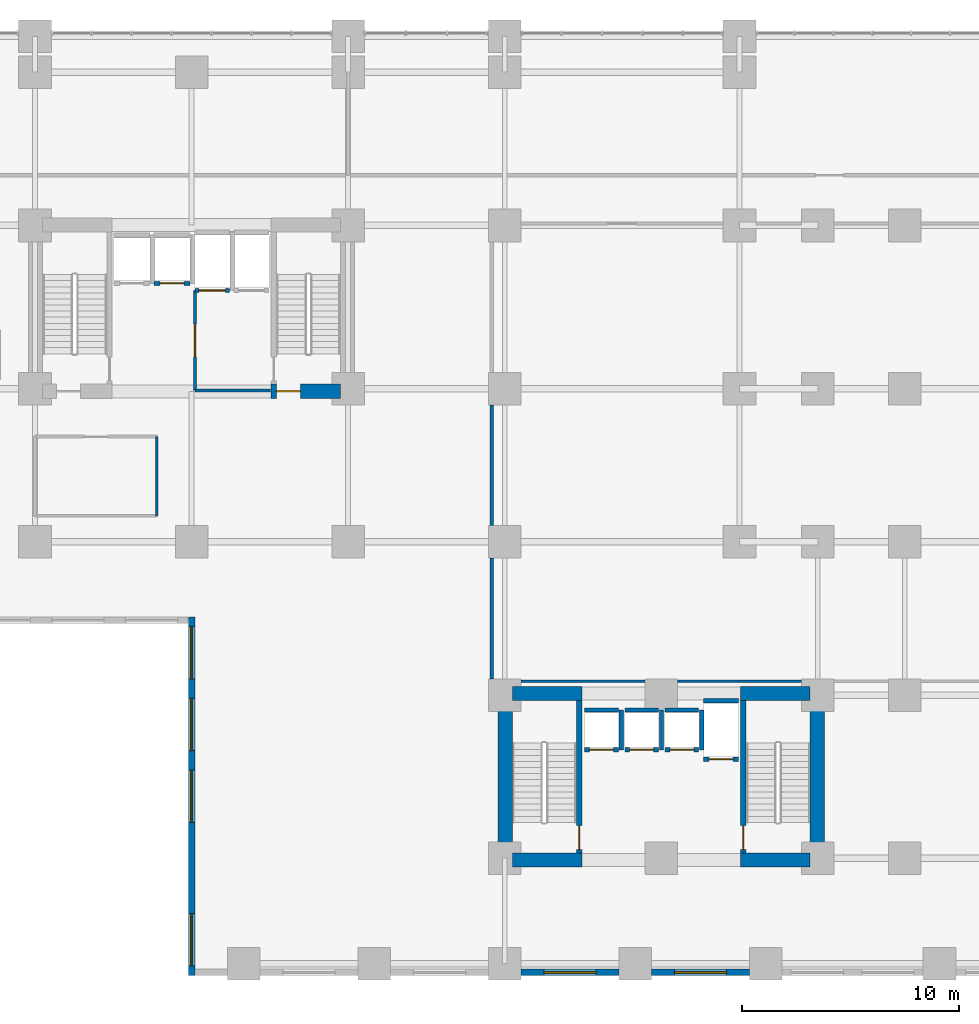
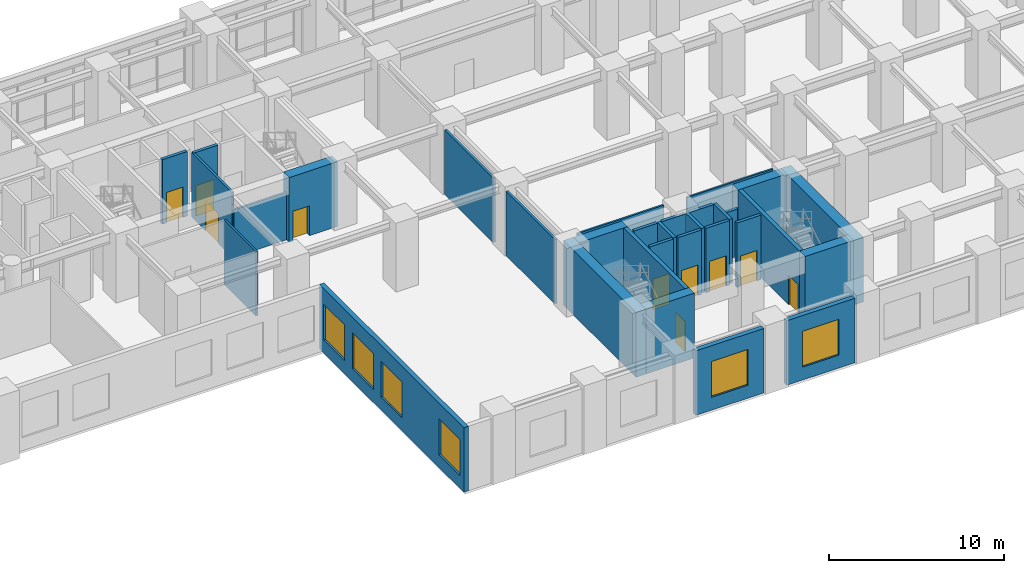
# One storey, part 16 of 22: 32 walls, 10 doors, 6 windows, 16 openings.
"""IFC4 building model written with IfcOpenShell, lengths in metres."""

from ifc_helpers import new_model, si_unit, direction, frame, frame_2d, origin, place, context, subcontext, project, spatial, rectangle, extrude, material, layer, layer_set, type_object, element, fill, save


model = new_model("IFC4")

# Units and contexts
model_context = context("Model", 3, precision=1e-05, world=origin(), true_north=direction((0.0, 1.0)))
body_context = subcontext(model_context, "Body", "Model", "MODEL_VIEW")
ifc_project = project(units=[si_unit("LENGTHUNIT", "METRE"), si_unit("AREAUNIT", "SQUARE_METRE"), si_unit("VOLUMEUNIT", "CUBIC_METRE"), si_unit("PLANEANGLEUNIT", "RADIAN"), si_unit("MASSUNIT", "GRAM", prefix="KILO")], contexts=[model_context])

# Site, building, storey
site_placement = place(None, origin())
site = spatial("IfcSite", under=ifc_project, at=site_placement, CompositionType="ELEMENT")
building_placement = place(site_placement, origin())
building = spatial("IfcBuilding", under=site, at=building_placement, Name="Kaliganga Portal Commons", CompositionType="ELEMENT")
storey_placement = place(building_placement, frame((0.0, 0.0, 10.199951171875)))
storey = spatial("IfcBuildingStorey", under=building, at=storey_placement, Name="L02", CompositionType="ELEMENT", Elevation=10.199951171875)

# Wall, opening, door
ifc_material_1 = material(Name="Concrete C70/85", Category="concrete")
ifc_layer_1 = layer(ifc_material_1, 0.64990234375)
ifc_layer_set_1 = layer_set([ifc_layer_1], Name="Concrete C70/85")
wall_type_1 = type_object("IfcWallType", Name="WL-CORE-650", PredefinedType="SHEAR", material=ifc_layer_set_1)
wall_1_placement = place(storey_placement, frame((25.25, 28.52490234375, 0.0), z_axis=(0.0, 0.0, 1.0), x_axis=(1.0, 0.0, 0.0)))
wall_1 = element("IfcWall", 1, at=wall_1_placement, inside=storey, type_object=wall_type_1, Name="Core A S-East Shear Wall L02", PredefinedType="SHEAR", context=body_context, shape_type="SweptSolid", body=[
    extrude(rectangle(XDim=3.199951171875, YDim=0.64990234375, at=frame_2d((1.60009765625, 0.0))), origin(), (0.0, 0.0, 1.0), 4.52001953125),
])
opening_1_placement = place(wall_1_placement, frame((0.25, 0.0, 0.0)))
opening_1 = element("IfcOpeningElement", 2, at=opening_1_placement, cuts=wall_1, Name="Opening SD-01", PredefinedType="OPENING", context=body_context, shape_type="SweptSolid", body=[
    extrude(rectangle(XDim=1.10009765625, YDim=2.080078125, at=frame_2d((0.550048828125, 1.0400390625))), frame((0.0, 0.3349609375, 0.0), z_axis=(0.0, -1.0, 0.0), x_axis=(1.0, 0.0, 0.0)), (0.0, 0.0, 1.0), 0.669921875),
])
ifc_material_2 = material(Name="Galvanized Steel Fire Door Leaf and Frame", Category="steel")
door_type_1 = type_object("IfcDoorType", Name="DR-STAIR-1100", OperationType="NOTDEFINED", PredefinedType="DOOR", material=ifc_material_2)
door_1_placement = place(opening_1_placement, origin())
door_1 = element("IfcDoor", 3, at=door_1_placement, inside=storey, type_object=door_type_1, Name="Protected Stair ST-A2 Concourse Fire Door L02", OperationType="SINGLE_SWING_RIGHT", OverallHeight=2.080078125, OverallWidth=1.10009765625, PredefinedType="DOOR", context=body_context, shape_type="SweptSolid", body=[
    extrude(rectangle(XDim=1.10009765625, YDim=2.080078125, at=frame_2d((0.550048828125, 1.0400390625))), frame((0.0, 0.02490234375, 0.0), z_axis=(0.0, -1.0, 0.0), x_axis=(1.0, 0.0, 0.0)), (0.0, 0.0, 1.0), 0.050048828125),
])
fill(opening_1, door_1)

# Walls
for number, where, z_axis, x_axis, name in (
    (4, (36.02490234375, 6.64990234375, 0.0), (0.0, 0.0, 1.0), (0.0, 1.0, 0.0), "Core B West Shear Wall L02"),
    (5, (50.375, 6.64990234375, 0.0), (0.0, 0.0, 1.0), (0.0, 1.0, 0.0), "Core B East Shear Wall L02"),
):
    element("IfcWall", number, at=place(storey_placement, frame(where, z_axis=z_axis, x_axis=x_axis)), inside=storey, type_object=wall_type_1, Name=name, PredefinedType="SHEAR", context=body_context, shape_type="SweptSolid", body=[
        extrude(rectangle(XDim=8.300048828125, YDim=0.64990234375, at=frame_2d((4.14990234375, 0.0))), origin(), (0.0, 0.0, 1.0), 4.52001953125),
    ])
for number, where, z_axis, x_axis, name in (
    (6, (36.35009765625, 6.97509765625, 0.0), (0.0, 0.0, 1.0), (1.0, 0.0, 0.0), "Core B S-West Shear Wall L02"),
    (7, (46.85009765625, 6.97509765625, 0.0), (0.0, 0.0, 1.0), (1.0, 0.0, 0.0), "Core B S-East Shear Wall L02"),
    (8, (36.35009765625, 14.625, 0.0), (0.0, 0.0, 1.0), (1.0, 0.0, 0.0), "Core B N-West Shear Wall L02"),
    (9, (46.85009765625, 14.625, 0.0), (0.0, 0.0, 1.0), (1.0, 0.0, 0.0), "Core B N-East Shear Wall L02"),
):
    element("IfcWall", number, at=place(storey_placement, frame(where, z_axis=z_axis, x_axis=x_axis)), inside=storey, type_object=wall_type_1, Name=name, PredefinedType="SHEAR", context=body_context, shape_type="SweptSolid", body=[
        extrude(rectangle(XDim=3.199951171875, YDim=0.64990234375, at=frame_2d((1.60009765625, 0.0))), origin(), (0.0, 0.0, 1.0), 4.52001953125),
    ])

# Wall, opening, window
ifc_material_3 = material(Name="Precast concrete C40/50", Category="concrete")
ifc_layer_2 = layer(ifc_material_3, 0.300048828125)
ifc_layer_set_2 = layer_set([ifc_layer_2], Name="Precast concrete C40/50")
wall_type_2 = type_object("IfcWallType", Name="WL-EXT-POD-300", PredefinedType="STANDARD", material=ifc_layer_set_2)
wall_2_placement = place(storey_placement, frame((41.2490234375, 1.800048828125, 0.0), z_axis=(0.0, 0.0, 1.0), x_axis=(-1.0, 0.0, 0.0)))
wall_2 = element("IfcWall", 10, at=wall_2_placement, inside=storey, type_object=wall_type_2, Name="Exterior Envelope Wall L02 P1-E00-S4", PredefinedType="STANDARD", context=body_context, shape_type="SweptSolid", body=[
    extrude(rectangle(XDim=4.498046875, YDim=0.300048828125, at=frame_2d((2.2490234375, 0.0))), origin(), (0.0, 0.0, 1.0), 4.5),
])
opening_2_placement = place(wall_2_placement, frame((1.049072265625, 0.0, 0.89990234375)))
opening_2 = element("IfcOpeningElement", 11, at=opening_2_placement, cuts=wall_2, Name="Opening W-05", PredefinedType="OPENING", context=body_context, shape_type="SweptSolid", body=[
    extrude(rectangle(XDim=2.39990234375, YDim=2.5, at=frame_2d((1.199951171875, 1.25))), frame((0.0, 0.16015625, 0.0), z_axis=(0.0, -1.0, 0.0), x_axis=(1.0, 0.0, 0.0)), (0.0, 0.0, 1.0), 0.320068359375),
])
ifc_material_4 = material(Name="Thermally Broken Aluminium and Low-E Double Glazing", Category="aluminium")
window_type = type_object("IfcWindowType", Name="WIN-POD-2400", PartitioningType="TRIPLE_PANEL_VERTICAL", PredefinedType="WINDOW", material=ifc_material_4)
window_1_placement = place(opening_2_placement, origin())
window_1 = element("IfcWindow", 12, at=window_1_placement, inside=storey, type_object=window_type, Name="Facade Window L02-P1E00S4-00", OverallHeight=2.5, OverallWidth=2.39990234375, PartitioningType="SINGLE_PANEL", PredefinedType="WINDOW", context=body_context, shape_type="SweptSolid", body=[
    extrude(rectangle(XDim=2.39990234375, YDim=2.5, at=frame_2d((1.199951171875, 1.25))), frame((0.0, 0.030029296875, 0.0), z_axis=(0.0, -1.0, 0.0), x_axis=(1.0, 0.0, 0.0)), (0.0, 0.0, 1.0), 0.06005859375),
])
fill(opening_2, window_1)

wall_3_placement = place(storey_placement, frame((47.2490234375, 1.800048828125, 0.0), z_axis=(0.0, 0.0, 1.0), x_axis=(-1.0, 0.0, 0.0)))
wall_3 = element("IfcWall", 13, at=wall_3_placement, inside=storey, type_object=wall_type_2, Name="Exterior Envelope Wall L02 P1-E00-S5", PredefinedType="STANDARD", context=body_context, shape_type="SweptSolid", body=[
    extrude(rectangle(XDim=4.498046875, YDim=0.300048828125, at=frame_2d((2.2490234375, 0.0))), origin(), (0.0, 0.0, 1.0), 4.5),
])
opening_3_placement = place(wall_3_placement, frame((1.049072265625, 0.0, 0.89990234375)))
opening_3 = element("IfcOpeningElement", 14, at=opening_3_placement, cuts=wall_3, Name="Opening W-05", PredefinedType="OPENING", context=body_context, shape_type="SweptSolid", body=[
    extrude(rectangle(XDim=2.39990234375, YDim=2.5, at=frame_2d((1.199951171875, 1.25))), frame((0.0, 0.16015625, 0.0), z_axis=(0.0, -1.0, 0.0), x_axis=(1.0, 0.0, 0.0)), (0.0, 0.0, 1.0), 0.320068359375),
])
window_2_placement = place(opening_3_placement, origin())
window_2 = element("IfcWindow", 15, at=window_2_placement, inside=storey, type_object=window_type, Name="Facade Window L02-P1E00S5-00", OverallHeight=2.5, OverallWidth=2.39990234375, PartitioningType="SINGLE_PANEL", PredefinedType="WINDOW", context=body_context, shape_type="SweptSolid", body=[
    extrude(rectangle(XDim=2.39990234375, YDim=2.5, at=frame_2d((1.199951171875, 1.25))), frame((0.0, 0.030029296875, 0.0), z_axis=(0.0, -1.0, 0.0), x_axis=(1.0, 0.0, 0.0)), (0.0, 0.0, 1.0), 0.06005859375),
])
fill(opening_3, window_2)

# Wall, openings, windows
wall_4_placement = place(storey_placement, frame((21.60009765625, 1.64990234375, 0.0), z_axis=(0.0, 0.0, 1.0), x_axis=(0.0, 1.0, 0.0)))
wall_4 = element("IfcWall", 16, at=wall_4_placement, inside=storey, type_object=wall_type_2, Name="Exterior Envelope Wall L02 P1-E05-S1", PredefinedType="STANDARD", context=body_context, shape_type="SweptSolid", body=[
    extrude(rectangle(XDim=16.5, YDim=0.300048828125, at=frame_2d((8.25, 0.0))), origin(), (0.0, 0.0, 1.0), 4.5),
])
opening_4_placement = place(wall_4_placement, frame((0.449951171875, 0.0, 0.89990234375)))
opening_4 = element("IfcOpeningElement", 17, at=opening_4_placement, cuts=wall_4, Name="Opening W-05", PredefinedType="OPENING", context=body_context, shape_type="SweptSolid", body=[
    extrude(rectangle(XDim=2.39990234375, YDim=2.5, at=frame_2d((1.199951171875, 1.25))), frame((0.0, 0.16015625, 0.0), z_axis=(0.0, -1.0, 0.0), x_axis=(1.0, 0.0, 0.0)), (0.0, 0.0, 1.0), 0.320068359375),
])
opening_5_placement = place(wall_4_placement, frame((7.050048828125, 0.0, 0.89990234375)))
opening_5 = element("IfcOpeningElement", 18, at=opening_5_placement, cuts=wall_4, Name="Opening W-05", PredefinedType="OPENING", context=body_context, shape_type="SweptSolid", body=[
    extrude(rectangle(XDim=2.39990234375, YDim=2.5, at=frame_2d((1.199951171875, 1.25))), frame((0.0, 0.16015625, 0.0), z_axis=(0.0, -1.0, 0.0), x_axis=(1.0, 0.0, 0.0)), (0.0, 0.0, 1.0), 0.320068359375),
])
opening_6_placement = place(wall_4_placement, frame((10.35009765625, 0.0, 0.89990234375)))
opening_6 = element("IfcOpeningElement", 19, at=opening_6_placement, cuts=wall_4, Name="Opening W-05", PredefinedType="OPENING", context=body_context, shape_type="SweptSolid", body=[
    extrude(rectangle(XDim=2.39990234375, YDim=2.5, at=frame_2d((1.199951171875, 1.25))), frame((0.0, 0.16015625, 0.0), z_axis=(0.0, -1.0, 0.0), x_axis=(1.0, 0.0, 0.0)), (0.0, 0.0, 1.0), 0.320068359375),
])
opening_7_placement = place(wall_4_placement, frame((13.64990234375, 0.0, 0.89990234375)))
opening_7 = element("IfcOpeningElement", 20, at=opening_7_placement, cuts=wall_4, Name="Opening W-05", PredefinedType="OPENING", context=body_context, shape_type="SweptSolid", body=[
    extrude(rectangle(XDim=2.39990234375, YDim=2.5, at=frame_2d((1.199951171875, 1.25))), frame((0.0, 0.16015625, 0.0), z_axis=(0.0, -1.0, 0.0), x_axis=(1.0, 0.0, 0.0)), (0.0, 0.0, 1.0), 0.320068359375),
])
window_3_placement = place(opening_4_placement, origin())
window_3 = element("IfcWindow", 21, at=window_3_placement, inside=storey, type_object=window_type, Name="Facade Window L02-P1E05S1-00", OverallHeight=2.5, OverallWidth=2.39990234375, PartitioningType="SINGLE_PANEL", PredefinedType="WINDOW", context=body_context, shape_type="SweptSolid", body=[
    extrude(rectangle(XDim=2.39990234375, YDim=2.5, at=frame_2d((1.199951171875, 1.25))), frame((0.0, 0.030029296875, 0.0), z_axis=(0.0, -1.0, 0.0), x_axis=(1.0, 0.0, 0.0)), (0.0, 0.0, 1.0), 0.06005859375),
])
fill(opening_4, window_3)
window_4_placement = place(opening_5_placement, origin())
window_4 = element("IfcWindow", 22, at=window_4_placement, inside=storey, type_object=window_type, Name="Facade Window L02-P1E05S1-02", OverallHeight=2.5, OverallWidth=2.39990234375, PartitioningType="SINGLE_PANEL", PredefinedType="WINDOW", context=body_context, shape_type="SweptSolid", body=[
    extrude(rectangle(XDim=2.39990234375, YDim=2.5, at=frame_2d((1.199951171875, 1.25))), frame((0.0, 0.030029296875, 0.0), z_axis=(0.0, -1.0, 0.0), x_axis=(1.0, 0.0, 0.0)), (0.0, 0.0, 1.0), 0.06005859375),
])
fill(opening_5, window_4)
window_5_placement = place(opening_6_placement, origin())
window_5 = element("IfcWindow", 23, at=window_5_placement, inside=storey, type_object=window_type, Name="Facade Window L02-P1E05S1-03", OverallHeight=2.5, OverallWidth=2.39990234375, PartitioningType="SINGLE_PANEL", PredefinedType="WINDOW", context=body_context, shape_type="SweptSolid", body=[
    extrude(rectangle(XDim=2.39990234375, YDim=2.5, at=frame_2d((1.199951171875, 1.25))), frame((0.0, 0.030029296875, 0.0), z_axis=(0.0, -1.0, 0.0), x_axis=(1.0, 0.0, 0.0)), (0.0, 0.0, 1.0), 0.06005859375),
])
fill(opening_6, window_5)
window_6_placement = place(opening_7_placement, origin())
window_6 = element("IfcWindow", 24, at=window_6_placement, inside=storey, type_object=window_type, Name="Facade Window L02-P1E05S1-04", OverallHeight=2.5, OverallWidth=2.39990234375, PartitioningType="SINGLE_PANEL", PredefinedType="WINDOW", context=body_context, shape_type="SweptSolid", body=[
    extrude(rectangle(XDim=2.39990234375, YDim=2.5, at=frame_2d((1.199951171875, 1.25))), frame((0.0, 0.030029296875, 0.0), z_axis=(0.0, -1.0, 0.0), x_axis=(1.0, 0.0, 0.0)), (0.0, 0.0, 1.0), 0.06005859375),
])
fill(opening_7, window_6)

# Walls
ifc_material_5 = material(Name="Fire-Rated Gypsum Board on Steel Stud", Category="steel")
ifc_layer_3 = layer(ifc_material_5, 0.14990234375)
ifc_layer_set_3 = layer_set([ifc_layer_3], Name="Fire-Rated Gypsum Board on Steel Stud")
wall_type_3 = type_object("IfcWallType", Name="WL-PART-CORR-150", PredefinedType="PARTITIONING", material=ifc_layer_set_3)
wall_5_placement = place(storey_placement, frame((35.39990234375, 15.300048828125, 0.0), z_axis=(0.0, 0.0, 1.0), x_axis=(0.0, 1.0, 0.0)))
element("IfcWall", 25, at=wall_5_placement, inside=storey, type_object=wall_type_3, Name="Interior Partition L02-009", PredefinedType="PARTITIONING", context=body_context, shape_type="SweptSolid", body=[
    extrude(rectangle(XDim=5.550048828125, YDim=0.14990234375, at=frame_2d((2.77490234375, 0.0))), origin(), (0.0, 0.0, 1.0), 4.5),
])
wall_6_placement = place(storey_placement, frame((35.39990234375, 22.35009765625, 0.0), z_axis=(0.0, 0.0, 1.0), x_axis=(0.0, 1.0, 0.0)))
element("IfcWall", 26, at=wall_6_placement, inside=storey, type_object=wall_type_3, Name="Interior Partition L02-010", PredefinedType="PARTITIONING", context=body_context, shape_type="SweptSolid", body=[
    extrude(rectangle(XDim=5.5498046875, YDim=0.14990234375, at=frame_2d((2.77490234375, 0.0))), origin(), (0.0, 0.0, 1.0), 4.5),
])

# Wall, opening, door
wall_7_placement = place(storey_placement, frame((21.760009765625, 28.56005859375, 0.0), z_axis=(0.0, 0.0, 1.0), x_axis=(0.0, 1.0, 0.0)))
wall_7 = element("IfcWall", 27, at=wall_7_placement, inside=storey, type_object=wall_type_3, Name="Interior Partition L02-032", PredefinedType="PARTITIONING", context=body_context, shape_type="SweptSolid", body=[
    extrude(rectangle(XDim=4.599853515625, YDim=0.14990234375, at=frame_2d((2.2998046875, 0.0))), origin(), (0.0, 0.0, 1.0), 4.5),
])
opening_8_placement = place(wall_7_placement, frame((1.550048828125, 0.0, 0.0)))
opening_8 = element("IfcOpeningElement", 28, at=opening_8_placement, cuts=wall_7, Name="Opening FD-01", PredefinedType="OPENING", context=body_context, shape_type="SweptSolid", body=[
    extrude(rectangle(XDim=1.5, YDim=2.10009765625, at=frame_2d((0.75, 1.050048828125))), frame((0.0, 0.0849609375, 0.0), z_axis=(0.0, -1.0, 0.0), x_axis=(1.0, 0.0, 0.0)), (0.0, 0.0, 1.0), 0.169921875),
])
ifc_material_6 = material(Name="Fire-Rated Hardwood and Georgian-Wired Vision Panel", Category="wood")
door_type_2 = type_object("IfcDoorType", Name="DR-LOBBY-1500", OperationType="DOUBLE_DOOR_SINGLE_SWING", PredefinedType="DOOR", material=ifc_material_6)
door_2_placement = place(opening_8_placement, origin())
door_2 = element("IfcDoor", 29, at=door_2_placement, inside=storey, type_object=door_type_2, Name="Interior Door L02-FFLOB_A", OperationType="DOUBLE_DOOR_SINGLE_SWING", OverallHeight=2.10009765625, OverallWidth=1.5, PredefinedType="DOOR", context=body_context, shape_type="SweptSolid", body=[
    extrude(rectangle(XDim=1.5, YDim=2.10009765625, at=frame_2d((0.75, 1.050048828125))), frame((0.0, 0.02490234375, 0.0), z_axis=(0.0, -1.0, 0.0), x_axis=(1.0, 0.0, 0.0)), (0.0, 0.0, 1.0), 0.050048828125),
])
fill(opening_8, door_2)

# Walls
wall_8_placement = place(storey_placement, frame((21.760009765625, 28.56005859375, 0.0), z_axis=(0.0, 0.0, 1.0), x_axis=(1.0, 0.0, 0.0)))
element("IfcWall", 30, at=wall_8_placement, inside=storey, type_object=wall_type_3, Name="Interior Partition L02-035", PredefinedType="PARTITIONING", context=body_context, shape_type="SweptSolid", body=[
    extrude(rectangle(XDim=3.47998046875, YDim=0.14990234375, at=frame_2d((1.739990234375, 0.0))), origin(), (0.0, 0.0, 1.0), 3.300048828125),
])
ifc_material_7 = material(Name="Moisture-Resistant Gypsum Partition", Category="gypsum")
ifc_layer_4 = layer(ifc_material_7, 0.114990234375)
ifc_layer_set_4 = layer_set([ifc_layer_4], Name="Moisture-Resistant Gypsum Partition")
wall_type_4 = type_object("IfcWallType", Name="WL-PART-ROOM-115", PredefinedType="PARTITIONING", material=ifc_layer_set_4)
for number, where, z_axis, x_axis, name in (
    (31, (36.75, 15.199951171875, 0.0), (0.0, 0.0, 1.0), (1.0, 0.0, 0.0), "Interior Partition L02-023"),
    (32, (43.949951171875, 15.199951171875, 0.0), (0.0, 0.0, 1.0), (1.0, 0.0, 0.0), "Interior Partition L02-024"),
):
    element("IfcWall", number, at=place(storey_placement, frame(where, z_axis=z_axis, x_axis=x_axis)), inside=storey, type_object=wall_type_4, Name=name, PredefinedType="PARTITIONING", context=body_context, shape_type="SweptSolid", body=[
        extrude(rectangle(XDim=5.699951171875, YDim=0.114990234375, at=frame_2d((2.85009765625, 0.0))), origin(), (0.0, 0.0, 1.0), 4.5),
    ])
ifc_material_8 = material(Name="Cement-Board Wet-Room Partition", Category="gypsum")
ifc_layer_5 = layer(ifc_material_8, 0.135009765625)
ifc_layer_set_5 = layer_set([ifc_layer_5], Name="Cement-Board Wet-Room Partition")
wall_type_5 = type_object("IfcWallType", Name="WL-PART-WET-135", PredefinedType="PARTITIONING", material=ifc_layer_set_5)
wall_9_placement = place(storey_placement, frame((20.0, 22.800048828125, 0.0), z_axis=(0.0, 0.0, 1.0), x_axis=(0.0, 1.0, 0.0)))
element("IfcWall", 33, at=wall_9_placement, inside=storey, type_object=wall_type_5, Name="Interior Partition L02-034", PredefinedType="PARTITIONING", context=body_context, shape_type="SweptSolid", body=[
    extrude(rectangle(XDim=3.639892578125, YDim=0.135009765625, at=frame_2d((1.81982421875, 0.0))), origin(), (0.0, 0.0, 1.0), 4.5),
])

# Wall, opening, door
ifc_material_9 = material(Name="Fire-Rated Shaftwall Masonry Assembly", Category="masonry")
ifc_layer_6 = layer(ifc_material_9, 0.199951171875)
ifc_layer_set_6 = layer_set([ifc_layer_6], Name="Fire-Rated Shaftwall Masonry Assembly")
wall_type_6 = type_object("IfcWallType", Name="WL-SHAFT-200", PredefinedType="PARTITIONING", material=ifc_layer_set_6)
wall_10_placement = place(storey_placement, frame((19.875, 33.485107421875, 0.0), z_axis=(0.0, 0.0, 1.0), x_axis=(1.0, 0.0, 0.0)))
wall_10 = element("IfcWall", 34, at=wall_10_placement, inside=storey, type_object=wall_type_6, Name="Lift PL-A2 Hoistway Shaft Wall L02-S", PredefinedType="PARTITIONING", context=body_context, shape_type="SweptSolid", body=[
    extrude(rectangle(XDim=1.64990234375, YDim=0.199951171875, at=frame_2d((0.824951171875, 0.0))), origin(), (0.0, 0.0, 1.0), 4.5),
])
opening_9_placement = place(wall_10_placement, frame((0.27490234375, 0.0, 0.0)))
opening_9 = element("IfcOpeningElement", 35, at=opening_9_placement, cuts=wall_10, Name="Opening LD-01", PredefinedType="OPENING", context=body_context, shape_type="SweptSolid", body=[
    extrude(rectangle(XDim=1.10009765625, YDim=2.1201171875, at=frame_2d((0.550048828125, 1.06005859375))), frame((0.0, 0.10986328125, 0.0), z_axis=(0.0, -1.0, 0.0), x_axis=(1.0, 0.0, 0.0)), (0.0, 0.0, 1.0), 0.219970703125),
])
ifc_material_10 = material(Name="Brushed Stainless Steel 316 Lift Landing Door", Category="steel")
door_type_3 = type_object("IfcDoorType", Name="DR-LIFT-1100", OperationType="SLIDING_TO_LEFT", PredefinedType="DOOR", material=ifc_material_10)
door_3_placement = place(opening_9_placement, origin())
door_3 = element("IfcDoor", 36, at=door_3_placement, inside=storey, type_object=door_type_3, Name="Lift PL-A2 Sliding Landing Door L02", OperationType="SLIDING_TO_LEFT", OverallHeight=2.1201171875, OverallWidth=1.10009765625, PredefinedType="DOOR", context=body_context, shape_type="SweptSolid", body=[
    extrude(rectangle(XDim=1.10009765625, YDim=2.1201171875, at=frame_2d((0.550048828125, 1.06005859375))), frame((0.0, 0.02490234375, 0.0), z_axis=(0.0, -1.0, 0.0), x_axis=(1.0, 0.0, 0.0)), (0.0, 0.0, 1.0), 0.050048828125),
])
fill(opening_9, door_3)

wall_11_placement = place(storey_placement, frame((21.75, 33.159912109375, 0.0), z_axis=(0.0, 0.0, 1.0), x_axis=(1.0, 0.0, 0.0)))
wall_11 = element("IfcWall", 37, at=wall_11_placement, inside=storey, type_object=wall_type_6, Name="Lift FFL-1 Hoistway Shaft Wall L02-S", PredefinedType="PARTITIONING", context=body_context, shape_type="SweptSolid", body=[
    extrude(rectangle(XDim=1.60009765625, YDim=0.199951171875, at=frame_2d((0.800048828125, 0.0))), origin(), (0.0, 0.0, 1.0), 4.5),
])
opening_10_placement = place(wall_11_placement, frame((0.199951171875, 0.0, 0.0)))
opening_10 = element("IfcOpeningElement", 38, at=opening_10_placement, cuts=wall_11, Name="Opening LD-02", PredefinedType="OPENING", context=body_context, shape_type="SweptSolid", body=[
    extrude(rectangle(XDim=1.199951171875, YDim=2.1201171875, at=frame_2d((0.60009765625, 1.06005859375))), frame((0.0, 0.10986328125, 0.0), z_axis=(0.0, -1.0, 0.0), x_axis=(1.0, 0.0, 0.0)), (0.0, 0.0, 1.0), 0.219970703125),
])
ifc_material_11 = material(Name="Brushed Stainless Steel 316 Stretcher Lift Landing Door", Category="steel")
door_type_4 = type_object("IfcDoorType", Name="DR-LIFT-1200", OperationType="SLIDING_TO_RIGHT", PredefinedType="DOOR", material=ifc_material_11)
door_4_placement = place(opening_10_placement, origin())
door_4 = element("IfcDoor", 39, at=door_4_placement, inside=storey, type_object=door_type_4, Name="Lift FFL-1 Sliding Landing Door L02", OperationType="SLIDING_TO_RIGHT", OverallHeight=2.1201171875, OverallWidth=1.199951171875, PredefinedType="DOOR", context=body_context, shape_type="SweptSolid", body=[
    extrude(rectangle(XDim=1.199951171875, YDim=2.1201171875, at=frame_2d((0.60009765625, 1.06005859375))), frame((0.0, 0.02490234375, 0.0), z_axis=(0.0, -1.0, 0.0), x_axis=(1.0, 0.0, 0.0)), (0.0, 0.0, 1.0), 0.050048828125),
])
fill(opening_10, door_4)

wall_12_placement = place(storey_placement, frame((39.675048828125, 12.034912109375, 0.0), z_axis=(0.0, 0.0, 1.0), x_axis=(1.0, 0.0, 0.0)))
wall_12 = element("IfcWall", 40, at=wall_12_placement, inside=storey, type_object=wall_type_6, Name="Lift PL-B1 Hoistway Shaft Wall L02-S", PredefinedType="PARTITIONING", context=body_context, shape_type="SweptSolid", body=[
    extrude(rectangle(XDim=1.550048828125, YDim=0.199951171875, at=frame_2d((0.77490234375, 0.0))), origin(), (0.0, 0.0, 1.0), 4.5),
])
opening_11_placement = place(wall_12_placement, frame((0.22509765625, 0.0, 0.0)))
opening_11 = element("IfcOpeningElement", 41, at=opening_11_placement, cuts=wall_12, Name="Opening LD-01", PredefinedType="OPENING", context=body_context, shape_type="SweptSolid", body=[
    extrude(rectangle(XDim=1.10009765625, YDim=2.1201171875, at=frame_2d((0.550048828125, 1.06005859375))), frame((0.0, 0.10986328125, 0.0), z_axis=(0.0, -1.0, 0.0), x_axis=(1.0, 0.0, 0.0)), (0.0, 0.0, 1.0), 0.219970703125),
])
door_5_placement = place(opening_11_placement, origin())
door_5 = element("IfcDoor", 42, at=door_5_placement, inside=storey, type_object=door_type_3, Name="Lift PL-B1 Sliding Landing Door L02", OperationType="SLIDING_TO_LEFT", OverallHeight=2.1201171875, OverallWidth=1.10009765625, PredefinedType="DOOR", context=body_context, shape_type="SweptSolid", body=[
    extrude(rectangle(XDim=1.10009765625, YDim=2.1201171875, at=frame_2d((0.550048828125, 1.06005859375))), frame((0.0, 0.02490234375, 0.0), z_axis=(0.0, -1.0, 0.0), x_axis=(1.0, 0.0, 0.0)), (0.0, 0.0, 1.0), 0.050048828125),
])
fill(opening_11, door_5)

# Walls
wall_13_placement = place(storey_placement, frame((39.675048828125, 13.864990234375, 0.0), z_axis=(0.0, 0.0, 1.0), x_axis=(1.0, 0.0, 0.0)))
element("IfcWall", 43, at=wall_13_placement, inside=storey, type_object=wall_type_6, Name="Lift PL-B1 Hoistway Shaft Wall L02-N", PredefinedType="PARTITIONING", context=body_context, shape_type="SweptSolid", body=[
    extrude(rectangle(XDim=1.550048828125, YDim=0.199951171875, at=frame_2d((0.77490234375, 0.0))), origin(), (0.0, 0.0, 1.0), 4.5),
])
wall_14_placement = place(storey_placement, frame((41.364990234375, 12.034912109375, 0.0), z_axis=(0.0, 0.0, 1.0), x_axis=(0.0, 1.0, 0.0)))
element("IfcWall", 44, at=wall_14_placement, inside=storey, type_object=wall_type_6, Name="Lift PL-B1 Hoistway Shaft Wall L02-E", PredefinedType="PARTITIONING", context=body_context, shape_type="SweptSolid", body=[
    extrude(rectangle(XDim=1.830078125, YDim=0.199951171875, at=frame_2d((0.9150390625, 0.0))), origin(), (0.0, 0.0, 1.0), 4.5),
])

# Wall, opening, door
wall_15_placement = place(storey_placement, frame((41.52490234375, 12.034912109375, 0.0), z_axis=(0.0, 0.0, 1.0), x_axis=(1.0, 0.0, 0.0)))
wall_15 = element("IfcWall", 45, at=wall_15_placement, inside=storey, type_object=wall_type_6, Name="Lift PL-B2 Hoistway Shaft Wall L02-S", PredefinedType="PARTITIONING", context=body_context, shape_type="SweptSolid", body=[
    extrude(rectangle(XDim=1.550048828125, YDim=0.199951171875, at=frame_2d((0.77490234375, 0.0))), origin(), (0.0, 0.0, 1.0), 4.5),
])
opening_12_placement = place(wall_15_placement, frame((0.22509765625, 0.0, 0.0)))
opening_12 = element("IfcOpeningElement", 46, at=opening_12_placement, cuts=wall_15, Name="Opening LD-01", PredefinedType="OPENING", context=body_context, shape_type="SweptSolid", body=[
    extrude(rectangle(XDim=1.10009765625, YDim=2.1201171875, at=frame_2d((0.550048828125, 1.06005859375))), frame((0.0, 0.10986328125, 0.0), z_axis=(0.0, -1.0, 0.0), x_axis=(1.0, 0.0, 0.0)), (0.0, 0.0, 1.0), 0.219970703125),
])
door_6_placement = place(opening_12_placement, origin())
door_6 = element("IfcDoor", 47, at=door_6_placement, inside=storey, type_object=door_type_3, Name="Lift PL-B2 Sliding Landing Door L02", OperationType="SLIDING_TO_LEFT", OverallHeight=2.1201171875, OverallWidth=1.10009765625, PredefinedType="DOOR", context=body_context, shape_type="SweptSolid", body=[
    extrude(rectangle(XDim=1.10009765625, YDim=2.1201171875, at=frame_2d((0.550048828125, 1.06005859375))), frame((0.0, 0.02490234375, 0.0), z_axis=(0.0, -1.0, 0.0), x_axis=(1.0, 0.0, 0.0)), (0.0, 0.0, 1.0), 0.050048828125),
])
fill(opening_12, door_6)

# Walls
wall_16_placement = place(storey_placement, frame((41.52490234375, 13.864990234375, 0.0), z_axis=(0.0, 0.0, 1.0), x_axis=(1.0, 0.0, 0.0)))
element("IfcWall", 48, at=wall_16_placement, inside=storey, type_object=wall_type_6, Name="Lift PL-B2 Hoistway Shaft Wall L02-N", PredefinedType="PARTITIONING", context=body_context, shape_type="SweptSolid", body=[
    extrude(rectangle(XDim=1.550048828125, YDim=0.199951171875, at=frame_2d((0.77490234375, 0.0))), origin(), (0.0, 0.0, 1.0), 4.5),
])
wall_17_placement = place(storey_placement, frame((43.215087890625, 12.034912109375, 0.0), z_axis=(0.0, 0.0, 1.0), x_axis=(0.0, 1.0, 0.0)))
element("IfcWall", 49, at=wall_17_placement, inside=storey, type_object=wall_type_6, Name="Lift PL-B2 Hoistway Shaft Wall L02-E", PredefinedType="PARTITIONING", context=body_context, shape_type="SweptSolid", body=[
    extrude(rectangle(XDim=1.830078125, YDim=0.199951171875, at=frame_2d((0.9150390625, 0.0))), origin(), (0.0, 0.0, 1.0), 4.5),
])

# Wall, opening, door
wall_18_placement = place(storey_placement, frame((43.375, 12.034912109375, 0.0), z_axis=(0.0, 0.0, 1.0), x_axis=(1.0, 0.0, 0.0)))
wall_18 = element("IfcWall", 50, at=wall_18_placement, inside=storey, type_object=wall_type_6, Name="Lift SH-2 Hoistway Shaft Wall L02-S", PredefinedType="PARTITIONING", context=body_context, shape_type="SweptSolid", body=[
    extrude(rectangle(XDim=1.550048828125, YDim=0.199951171875, at=frame_2d((0.77490234375, 0.0))), origin(), (0.0, 0.0, 1.0), 4.5),
])
opening_13_placement = place(wall_18_placement, frame((0.22509765625, 0.0, 0.0)))
opening_13 = element("IfcOpeningElement", 51, at=opening_13_placement, cuts=wall_18, Name="Opening LD-01", PredefinedType="OPENING", context=body_context, shape_type="SweptSolid", body=[
    extrude(rectangle(XDim=1.10009765625, YDim=2.1201171875, at=frame_2d((0.550048828125, 1.06005859375))), frame((0.0, 0.10986328125, 0.0), z_axis=(0.0, -1.0, 0.0), x_axis=(1.0, 0.0, 0.0)), (0.0, 0.0, 1.0), 0.219970703125),
])
door_7_placement = place(opening_13_placement, origin())
door_7 = element("IfcDoor", 52, at=door_7_placement, inside=storey, type_object=door_type_3, Name="Lift SH-2 Sliding Landing Door L02", OperationType="SLIDING_TO_LEFT", OverallHeight=2.1201171875, OverallWidth=1.10009765625, PredefinedType="DOOR", context=body_context, shape_type="SweptSolid", body=[
    extrude(rectangle(XDim=1.10009765625, YDim=2.1201171875, at=frame_2d((0.550048828125, 1.06005859375))), frame((0.0, 0.02490234375, 0.0), z_axis=(0.0, -1.0, 0.0), x_axis=(1.0, 0.0, 0.0)), (0.0, 0.0, 1.0), 0.050048828125),
])
fill(opening_13, door_7)

# Walls
wall_19_placement = place(storey_placement, frame((43.375, 13.864990234375, 0.0), z_axis=(0.0, 0.0, 1.0), x_axis=(1.0, 0.0, 0.0)))
element("IfcWall", 53, at=wall_19_placement, inside=storey, type_object=wall_type_6, Name="Lift SH-2 Hoistway Shaft Wall L02-N", PredefinedType="PARTITIONING", context=body_context, shape_type="SweptSolid", body=[
    extrude(rectangle(XDim=1.550048828125, YDim=0.199951171875, at=frame_2d((0.77490234375, 0.0))), origin(), (0.0, 0.0, 1.0), 4.5),
])
wall_20_placement = place(storey_placement, frame((45.06494140625, 12.034912109375, 0.0), z_axis=(0.0, 0.0, 1.0), x_axis=(0.0, 1.0, 0.0)))
element("IfcWall", 54, at=wall_20_placement, inside=storey, type_object=wall_type_6, Name="Lift SH-2 Hoistway Shaft Wall L02-E", PredefinedType="PARTITIONING", context=body_context, shape_type="SweptSolid", body=[
    extrude(rectangle(XDim=1.830078125, YDim=0.199951171875, at=frame_2d((0.9150390625, 0.0))), origin(), (0.0, 0.0, 1.0), 4.5),
])

# Wall, opening, door
wall_21_placement = place(storey_placement, frame((45.14990234375, 11.610107421875, 0.0), z_axis=(0.0, 0.0, 1.0), x_axis=(1.0, 0.0, 0.0)))
wall_21 = element("IfcWall", 55, at=wall_21_placement, inside=storey, type_object=wall_type_6, Name="Lift SL-B1 Hoistway Shaft Wall L02-S", PredefinedType="PARTITIONING", context=body_context, shape_type="SweptSolid", body=[
    extrude(rectangle(XDim=1.60009765625, YDim=0.199951171875, at=frame_2d((0.800048828125, 0.0))), origin(), (0.0, 0.0, 1.0), 4.5),
])
opening_14_placement = place(wall_21_placement, frame((0.25, 0.0, 0.0)))
opening_14 = element("IfcOpeningElement", 56, at=opening_14_placement, cuts=wall_21, Name="Opening LD-01", PredefinedType="OPENING", context=body_context, shape_type="SweptSolid", body=[
    extrude(rectangle(XDim=1.10009765625, YDim=2.1201171875, at=frame_2d((0.550048828125, 1.06005859375))), frame((0.0, 0.10986328125, 0.0), z_axis=(0.0, -1.0, 0.0), x_axis=(1.0, 0.0, 0.0)), (0.0, 0.0, 1.0), 0.219970703125),
])
door_8_placement = place(opening_14_placement, origin())
door_8 = element("IfcDoor", 57, at=door_8_placement, inside=storey, type_object=door_type_3, Name="Lift SL-B1 Sliding Landing Door L02", OperationType="SLIDING_TO_LEFT", OverallHeight=2.1201171875, OverallWidth=1.10009765625, PredefinedType="DOOR", context=body_context, shape_type="SweptSolid", body=[
    extrude(rectangle(XDim=1.10009765625, YDim=2.1201171875, at=frame_2d((0.550048828125, 1.06005859375))), frame((0.0, 0.02490234375, 0.0), z_axis=(0.0, -1.0, 0.0), x_axis=(1.0, 0.0, 0.0)), (0.0, 0.0, 1.0), 0.050048828125),
])
fill(opening_14, door_8)

# Wall
wall_22_placement = place(storey_placement, frame((45.14990234375, 14.2900390625, 0.0), z_axis=(0.0, 0.0, 1.0), x_axis=(1.0, 0.0, 0.0)))
element("IfcWall", 58, at=wall_22_placement, inside=storey, type_object=wall_type_6, Name="Lift SL-B1 Hoistway Shaft Wall L02-N", PredefinedType="PARTITIONING", context=body_context, shape_type="SweptSolid", body=[
    extrude(rectangle(XDim=1.60009765625, YDim=0.199951171875, at=frame_2d((0.800048828125, 0.0))), origin(), (0.0, 0.0, 1.0), 3.300048828125),
])

# Wall, opening, door
ifc_material_12 = material(Name="Concrete C50/60", Category="concrete")
ifc_layer_7 = layer(ifc_material_12, 0.25)
ifc_layer_set_7 = layer_set([ifc_layer_7], Name="Concrete C50/60")
wall_type_7 = type_object("IfcWallType", Name="WL-STAIR-250", PredefinedType="SHEAR", material=ifc_layer_set_7)
wall_23_placement = place(storey_placement, frame((39.425048828125, 7.300048828125, 0.0), z_axis=(0.0, 0.0, 1.0), x_axis=(0.0, 1.0, 0.0)))
wall_23 = element("IfcWall", 59, at=wall_23_placement, inside=storey, type_object=wall_type_7, Name="Stair B1 Enclosure Shear Wall L02", PredefinedType="SHEAR", context=body_context, shape_type="SweptSolid", body=[
    extrude(rectangle(XDim=7.0, YDim=0.25, at=frame_2d((3.5, 0.0))), origin(), (0.0, 0.0, 1.0), 4.52001953125),
])
opening_15_placement = place(wall_23_placement, frame((0.14990234375, 0.0, 0.0)))
opening_15 = element("IfcOpeningElement", 60, at=opening_15_placement, cuts=wall_23, Name="Opening SD-01", PredefinedType="OPENING", context=body_context, shape_type="SweptSolid", body=[
    extrude(rectangle(XDim=1.10009765625, YDim=2.080078125, at=frame_2d((0.550048828125, 1.0400390625))), frame((0.0, 0.135009765625, 0.0), z_axis=(0.0, -1.0, 0.0), x_axis=(1.0, 0.0, 0.0)), (0.0, 0.0, 1.0), 0.27001953125),
])
door_9_placement = place(opening_15_placement, origin())
door_9 = element("IfcDoor", 61, at=door_9_placement, inside=storey, type_object=door_type_1, Name="Protected Stair ST-B1 Fire Door L02", OperationType="SINGLE_SWING_RIGHT", OverallHeight=2.080078125, OverallWidth=1.10009765625, PredefinedType="DOOR", context=body_context, shape_type="SweptSolid", body=[
    extrude(rectangle(XDim=1.10009765625, YDim=2.080078125, at=frame_2d((0.550048828125, 1.0400390625))), frame((0.0, 0.02490234375, 0.0), z_axis=(0.0, -1.0, 0.0), x_axis=(1.0, 0.0, 0.0)), (0.0, 0.0, 1.0), 0.050048828125),
])
fill(opening_15, door_9)

wall_24_placement = place(storey_placement, frame((46.97509765625, 7.300048828125, 0.0), z_axis=(0.0, 0.0, 1.0), x_axis=(0.0, 1.0, 0.0)))
wall_24 = element("IfcWall", 62, at=wall_24_placement, inside=storey, type_object=wall_type_7, Name="Stair B2 Enclosure Shear Wall L02", PredefinedType="SHEAR", context=body_context, shape_type="SweptSolid", body=[
    extrude(rectangle(XDim=7.0, YDim=0.25, at=frame_2d((3.5, 0.0))), origin(), (0.0, 0.0, 1.0), 4.52001953125),
])
opening_16_placement = place(wall_24_placement, frame((0.14990234375, 0.0, 0.0)))
opening_16 = element("IfcOpeningElement", 63, at=opening_16_placement, cuts=wall_24, Name="Opening SD-01", PredefinedType="OPENING", context=body_context, shape_type="SweptSolid", body=[
    extrude(rectangle(XDim=1.10009765625, YDim=2.080078125, at=frame_2d((0.550048828125, 1.0400390625))), frame((0.0, 0.135009765625, 0.0), z_axis=(0.0, -1.0, 0.0), x_axis=(1.0, 0.0, 0.0)), (0.0, 0.0, 1.0), 0.27001953125),
])
door_10_placement = place(opening_16_placement, origin())
door_10 = element("IfcDoor", 64, at=door_10_placement, inside=storey, type_object=door_type_1, Name="Protected Stair ST-B2 Fire Door L02", OperationType="SINGLE_SWING_LEFT", OverallHeight=2.080078125, OverallWidth=1.10009765625, PredefinedType="DOOR", context=body_context, shape_type="SweptSolid", body=[
    extrude(rectangle(XDim=1.10009765625, YDim=2.080078125, at=frame_2d((0.550048828125, 1.0400390625))), frame((0.0, 0.02490234375, 0.0), z_axis=(0.0, -1.0, 0.0), x_axis=(1.0, 0.0, 0.0)), (0.0, 0.0, 1.0), 0.050048828125),
])
fill(opening_16, door_10)

save(model, "model.ifc")
